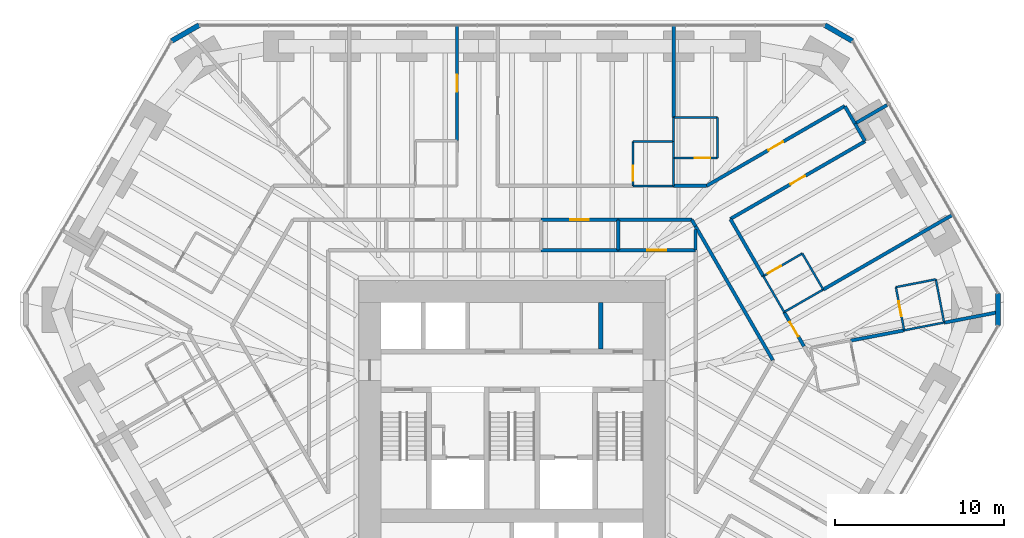
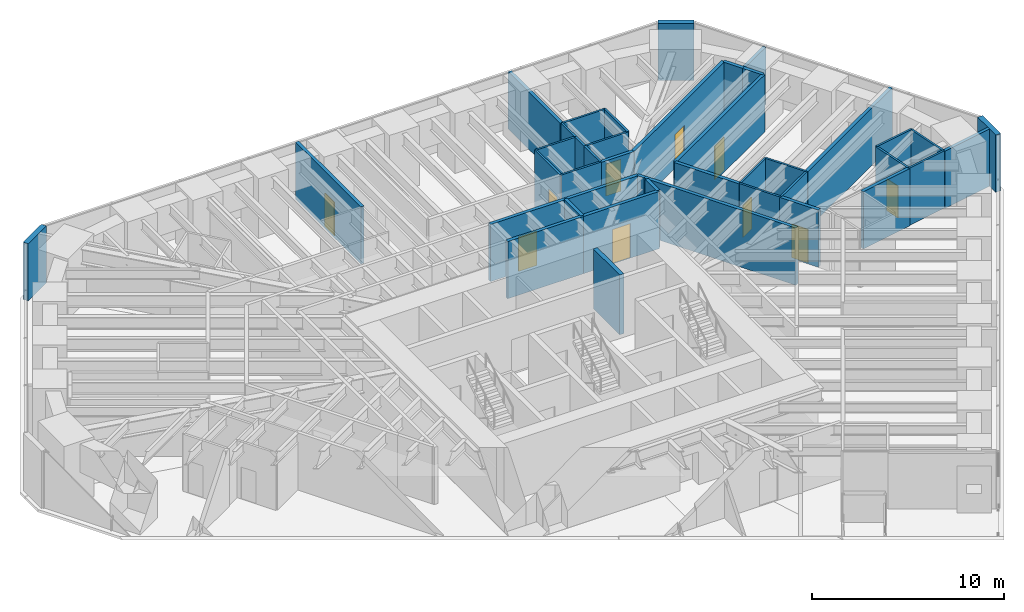
# One storey, part 15 of 17: 42 walls, 10 doors, 10 openings.
"""IFC4 building model written with IfcOpenShell, lengths in metres."""

from ifc_helpers import new_model, si_unit, direction, frame, frame_2d, origin, place, context, subcontext, project, spatial, rectangle, extrude, material, layer, layer_set, type_object, element, fill, save


model = new_model("IFC4")

# Units and contexts
model_context = context("Model", 3, precision=1e-05, world=origin(), true_north=direction((0.0, 1.0)))
body_context = subcontext(model_context, "Body", "Model", "MODEL_VIEW")
ifc_project = project(units=[si_unit("LENGTHUNIT", "METRE"), si_unit("AREAUNIT", "SQUARE_METRE"), si_unit("VOLUMEUNIT", "CUBIC_METRE"), si_unit("PLANEANGLEUNIT", "RADIAN"), si_unit("MASSUNIT", "GRAM", prefix="KILO")], contexts=[model_context])

# Site, building, storey
site_placement = place(None, origin())
site = spatial("IfcSite", under=ifc_project, at=site_placement, CompositionType="ELEMENT")
building_placement = place(site_placement, origin())
building = spatial("IfcBuilding", under=site, at=building_placement, Name="Sandreach Pilgrim Tower", CompositionType="ELEMENT")
storey_placement = place(building_placement, frame((0.0, 0.0, 138.60009765625)))
storey = spatial("IfcBuildingStorey", under=building, at=storey_placement, Name="L34", CompositionType="ELEMENT", Elevation=138.60009765625)

# Wall, opening, door
ifc_material_1 = material(Name="Moisture-resistant gypsum board on steel studs", Category="steel")
ifc_layer_1 = layer(ifc_material_1, 0.1201171875)
ifc_layer_set_1 = layer_set([ifc_layer_1], Name="Bathroom partition 120")
wall_type_1 = type_object("IfcWallType", Name="Bathroom partition 120", PredefinedType="PARTITIONING", material=ifc_layer_set_1)
wall_1_placement = place(storey_placement, frame((7.14990234375, 15.610107421875, 0.0), z_axis=(0.0, 0.0, 1.0), x_axis=(0.0, -1.0, 0.0)))
wall_1 = element("IfcWall", 1, at=wall_1_placement, inside=storey, type_object=wall_type_1, Name="Bathroom partition L34-100", PredefinedType="PARTITIONING", context=body_context, shape_type="SweptSolid", body=[
    extrude(rectangle(XDim=2.6201171875, YDim=0.1201171875, at=frame_2d((1.31005859375, 0.0))), origin(), (0.0, 0.0, 1.0), 3.639892578125),
])
opening_1_placement = place(wall_1_placement, frame((1.419921875, 0.0, 0.0)))
opening_1 = element("IfcOpeningElement", 2, at=opening_1_placement, cuts=wall_1, Name="Opening D09-03B", PredefinedType="OPENING", context=body_context, shape_type="SweptSolid", body=[
    extrude(rectangle(XDim=0.89990234375, YDim=2.030029296875, at=frame_2d((0.449951171875, 1.01513671875))), frame((0.0, 0.06005859375, 0.0), z_axis=(0.0, -1.0, 0.0), x_axis=(1.0, 0.0, 0.0)), (0.0, 0.0, 1.0), 0.1201171875),
])
ifc_material_2 = material(Name="Timber door, steel frame", Category="steel")
door_type_1 = type_object("IfcDoorType", Name="Bathroom door", OperationType="SINGLE_SWING_LEFT", PredefinedType="DOOR", material=ifc_material_2)
door_1_placement = place(opening_1_placement, origin())
door_1 = element("IfcDoor", 3, at=door_1_placement, inside=storey, type_object=door_type_1, Name="Door 3403B", OperationType="SINGLE_SWING_RIGHT", OverallHeight=2.030029296875, OverallWidth=0.89990234375, PredefinedType="DOOR", context=body_context, shape_type="SweptSolid", body=[
    extrude(rectangle(XDim=0.89990234375, YDim=2.030029296875, at=frame_2d((0.449951171875, 1.01513671875))), frame((0.0, 0.02490234375, 0.0), z_axis=(0.0, -1.0, 0.0), x_axis=(1.0, 0.0, 0.0)), (0.0, 0.0, 1.0), 0.050048828125),
])
fill(opening_1, door_1)

# Walls
wall_2_placement = place(storey_placement, frame((9.550048828125, 12.989990234375, 0.0), z_axis=(0.0, 0.0, 1.0), x_axis=(-1.0, 0.0, 0.0)))
element("IfcWall", 4, at=wall_2_placement, inside=storey, type_object=wall_type_1, Name="Bathroom partition L34-109", PredefinedType="PARTITIONING", context=body_context, shape_type="SweptSolid", body=[
    extrude(rectangle(XDim=2.400146484375, YDim=0.1201171875, at=frame_2d((1.2001953125, 0.0))), origin(), (0.0, 0.0, 1.0), 3.639892578125),
])
wall_3_placement = place(storey_placement, frame((9.550048828125, 14.639892578125, 0.0), z_axis=(0.0, 0.0, 1.0), x_axis=(0.0, -1.0, 0.0)))
element("IfcWall", 5, at=wall_3_placement, inside=storey, type_object=wall_type_1, Name="Bathroom partition L34-110", PredefinedType="PARTITIONING", context=body_context, shape_type="SweptSolid", body=[
    extrude(rectangle(XDim=1.64990234375, YDim=0.1201171875, at=frame_2d((0.824951171875, 0.0))), origin(), (0.0, 0.0, 1.0), 3.639892578125),
])

# Wall, opening, door
wall_4_placement = place(storey_placement, frame((9.550048828125, 14.639892578125, 0.0), z_axis=(0.0, 0.0, 1.0), x_axis=(1.0, 0.0, 0.0)))
wall_4 = element("IfcWall", 6, at=wall_4_placement, inside=storey, type_object=wall_type_1, Name="Bathroom partition L34-111", PredefinedType="PARTITIONING", context=body_context, shape_type="SweptSolid", body=[
    extrude(rectangle(XDim=2.599853515625, YDim=0.1201171875, at=frame_2d((1.2998046875, 0.0))), origin(), (0.0, 0.0, 1.0), 3.639892578125),
])
opening_2_placement = place(wall_4_placement, frame((1.25, 0.0, 0.0)))
opening_2 = element("IfcOpeningElement", 7, at=opening_2_placement, cuts=wall_4, Name="Opening D09-04B", PredefinedType="OPENING", context=body_context, shape_type="SweptSolid", body=[
    extrude(rectangle(XDim=0.89990234375, YDim=2.030029296875, at=frame_2d((0.449951171875, 1.01513671875))), frame((0.0, 0.06005859375, 0.0), z_axis=(0.0, -1.0, 0.0), x_axis=(1.0, 0.0, 0.0)), (0.0, 0.0, 1.0), 0.1201171875),
])
door_2_placement = place(opening_2_placement, origin())
door_2 = element("IfcDoor", 8, at=door_2_placement, inside=storey, type_object=door_type_1, Name="Door 3404B", OperationType="SINGLE_SWING_RIGHT", OverallHeight=2.030029296875, OverallWidth=0.89990234375, PredefinedType="DOOR", context=body_context, shape_type="SweptSolid", body=[
    extrude(rectangle(XDim=0.89990234375, YDim=2.030029296875, at=frame_2d((0.449951171875, 1.01513671875))), frame((0.0, 0.02490234375, 0.0), z_axis=(0.0, -1.0, 0.0), x_axis=(1.0, 0.0, 0.0)), (0.0, 0.0, 1.0), 0.050048828125),
])
fill(opening_2, door_2)

# Walls
wall_5_placement = place(storey_placement, frame((9.550048828125, 15.610107421875, 0.0), z_axis=(0.0, 0.0, 1.0), x_axis=(-1.0, 0.0, 0.0)))
element("IfcWall", 9, at=wall_5_placement, inside=storey, type_object=wall_type_1, Name="Bathroom partition L34-112", PredefinedType="PARTITIONING", context=body_context, shape_type="SweptSolid", body=[
    extrude(rectangle(XDim=2.400146484375, YDim=0.1201171875, at=frame_2d((1.2001953125, 0.0))), origin(), (0.0, 0.0, 1.0), 3.639892578125),
])
wall_6_placement = place(storey_placement, frame((9.550048828125, 15.610107421875, 0.0), z_axis=(0.0, 0.0, 1.0), x_axis=(0.0, -1.0, 0.0)))
element("IfcWall", 10, at=wall_6_placement, inside=storey, type_object=wall_type_1, Name="Bathroom partition L34-113", PredefinedType="PARTITIONING", context=body_context, shape_type="SweptSolid", body=[
    extrude(rectangle(XDim=0.97021484375, YDim=0.1201171875, at=frame_2d((0.485107421875, 0.0))), origin(), (0.0, 0.0, 1.0), 3.639892578125),
])
wall_7_placement = place(storey_placement, frame((9.550048828125, 17.0400390625, 0.0), z_axis=(0.0, 0.0, 1.0), x_axis=(0.0, -1.0, 0.0)))
element("IfcWall", 11, at=wall_7_placement, inside=storey, type_object=wall_type_1, Name="Bathroom partition L34-114", PredefinedType="PARTITIONING", context=body_context, shape_type="SweptSolid", body=[
    extrude(rectangle(XDim=1.429931640625, YDim=0.1201171875, at=frame_2d((0.71484375, 0.0))), origin(), (0.0, 0.0, 1.0), 3.639892578125),
])
wall_8_placement = place(storey_placement, frame((12.14990234375, 14.639892578125, 0.0), z_axis=(0.0, 0.0, 1.0), x_axis=(0.0, 1.0, 0.0)))
element("IfcWall", 12, at=wall_8_placement, inside=storey, type_object=wall_type_1, Name="Bathroom partition L34-123", PredefinedType="PARTITIONING", context=body_context, shape_type="SweptSolid", body=[
    extrude(rectangle(XDim=2.400146484375, YDim=0.1201171875, at=frame_2d((1.2001953125, 0.0))), origin(), (0.0, 0.0, 1.0), 3.639892578125),
])
wall_9_placement = place(storey_placement, frame((12.14990234375, 17.0400390625, 0.0), z_axis=(0.0, 0.0, 1.0), x_axis=(-1.0, 0.0, 0.0)))
element("IfcWall", 13, at=wall_9_placement, inside=storey, type_object=wall_type_1, Name="Bathroom partition L34-124", PredefinedType="PARTITIONING", context=body_context, shape_type="SweptSolid", body=[
    extrude(rectangle(XDim=2.599853515625, YDim=0.1201171875, at=frame_2d((1.2998046875, 0.0))), origin(), (0.0, 0.0, 1.0), 3.639892578125),
])
wall_10_placement = place(storey_placement, frame((14.85009765625, 7.66015625, 0.0), z_axis=(0.0, 0.0, 1.0), x_axis=(0.501236510024, -0.865310326426, 0.0)))
element("IfcWall", 14, at=wall_10_placement, inside=storey, type_object=wall_type_1, Name="Bathroom partition L34-129", PredefinedType="PARTITIONING", context=body_context, shape_type="SweptSolid", body=[
    extrude(rectangle(XDim=2.450927734375, YDim=0.1201171875, at=frame_2d((1.2255859375, 0.0))), origin(), (0.0, 0.0, 1.0), 3.639892578125),
])
wall_11_placement = place(storey_placement, frame((16.080078125, 5.5400390625, 0.0), z_axis=(0.0, 0.0, 1.0), x_axis=(0.86663205897, 0.498947767172, 0.0)))
element("IfcWall", 15, at=wall_11_placement, inside=storey, type_object=wall_type_1, Name="Bathroom partition L34-132", PredefinedType="PARTITIONING", context=body_context, shape_type="SweptSolid", body=[
    extrude(rectangle(XDim=2.665283203125, YDim=0.1201171875, at=frame_2d((1.33251953125, 0.0))), origin(), (0.0, 0.0, 1.0), 3.639892578125),
])

# Wall, opening, door
wall_12_placement = place(storey_placement, frame((17.14990234375, 9.0, 0.0), z_axis=(0.0, 0.0, 1.0), x_axis=(-0.864018325232, -0.503460359575, 0.0)))
wall_12 = element("IfcWall", 16, at=wall_12_placement, inside=storey, type_object=wall_type_1, Name="Bathroom partition L34-133", PredefinedType="PARTITIONING", context=body_context, shape_type="SweptSolid", body=[
    extrude(rectangle(XDim=2.661865234375, YDim=0.1201171875, at=frame_2d((1.3310546875, 0.0))), origin(), (0.0, 0.0, 1.0), 3.639892578125),
])
opening_3_placement = place(wall_12_placement, frame((1.4619140625, 0.0, 0.0)))
opening_3 = element("IfcOpeningElement", 17, at=opening_3_placement, cuts=wall_12, Name="Opening D09-05B", PredefinedType="OPENING", context=body_context, shape_type="SweptSolid", body=[
    extrude(rectangle(XDim=0.89990234375, YDim=2.030029296875, at=frame_2d((0.449951171875, 1.01513671875))), frame((0.0, 0.06005859375, 0.0), z_axis=(0.0, -1.0, 0.0), x_axis=(1.0, 0.0, 0.0)), (0.0, 0.0, 1.0), 0.1201171875),
])
door_3_placement = place(opening_3_placement, origin())
door_3 = element("IfcDoor", 18, at=door_3_placement, inside=storey, type_object=door_type_1, Name="Door 3405B", OperationType="SINGLE_SWING_RIGHT", OverallHeight=2.030029296875, OverallWidth=0.89990234375, PredefinedType="DOOR", context=body_context, shape_type="SweptSolid", body=[
    extrude(rectangle(XDim=0.89990234375, YDim=2.030029296875, at=frame_2d((0.449951171875, 1.01513671875))), frame((0.0, 0.02490234375, 0.0), z_axis=(0.0, -1.0, 0.0), x_axis=(1.0, 0.0, 0.0)), (0.0, 0.0, 1.0), 0.050048828125),
])
fill(opening_3, door_3)

# Wall
wall_13_placement = place(storey_placement, frame((18.389892578125, 6.8701171875, 0.0), z_axis=(0.0, 0.0, 1.0), x_axis=(-0.503131731744, 0.864209731785, 0.0)))
element("IfcWall", 19, at=wall_13_placement, inside=storey, type_object=wall_type_1, Name="Bathroom partition L34-141", PredefinedType="PARTITIONING", context=body_context, shape_type="SweptSolid", body=[
    extrude(rectangle(XDim=2.464599609375, YDim=0.1201171875, at=frame_2d((1.232421875, 0.0))), origin(), (0.0, 0.0, 1.0), 3.639892578125),
])

# Wall, opening, door
wall_14_placement = place(storey_placement, frame((22.679931640625, 7.010009765625, 0.0), z_axis=(0.0, 0.0, 1.0), x_axis=(0.188697442844, -0.982035271802, 0.0)))
wall_14 = element("IfcWall", 20, at=wall_14_placement, inside=storey, type_object=wall_type_1, Name="Bathroom partition L34-150", PredefinedType="PARTITIONING", context=body_context, shape_type="SweptSolid", body=[
    extrude(rectangle(XDim=2.5966796875, YDim=0.1201171875, at=frame_2d((1.29833984375, 0.0))), origin(), (0.0, 0.0, 1.0), 3.639892578125),
])
opening_4_placement = place(wall_14_placement, frame((0.85009765625, 0.0, 0.0)))
opening_4 = element("IfcOpeningElement", 21, at=opening_4_placement, cuts=wall_14, Name="Opening D09-06B", PredefinedType="OPENING", context=body_context, shape_type="SweptSolid", body=[
    extrude(rectangle(XDim=0.89990234375, YDim=2.030029296875, at=frame_2d((0.449951171875, 1.01513671875))), frame((0.0, 0.06005859375, 0.0), z_axis=(0.0, -1.0, 0.0), x_axis=(1.0, 0.0, 0.0)), (0.0, 0.0, 1.0), 0.1201171875),
])
door_4_placement = place(opening_4_placement, origin())
door_4 = element("IfcDoor", 22, at=door_4_placement, inside=storey, type_object=door_type_1, Name="Door 3406B", OperationType="SINGLE_SWING_LEFT", OverallHeight=2.030029296875, OverallWidth=0.89990234375, PredefinedType="DOOR", context=body_context, shape_type="SweptSolid", body=[
    extrude(rectangle(XDim=0.89990234375, YDim=2.030029296875, at=frame_2d((0.449951171875, 1.01513671875))), frame((0.0, 0.02490234375, 0.0), z_axis=(0.0, -1.0, 0.0), x_axis=(1.0, 0.0, 0.0)), (0.0, 0.0, 1.0), 0.050048828125),
])
fill(opening_4, door_4)

# Walls
for number, where, z_axis, x_axis, name in (
    (23, (23.169921875, 4.4599609375, 0.0), (0.0, 0.0, 1.0), (0.981533392326, 0.191290877329, 0.0), "Bathroom partition L34-151"),
    (24, (25.0400390625, 7.469970703125, 0.0), (0.0, 0.0, 1.0), (-0.981533392326, -0.191290877329, 0.0), "Bathroom partition L34-152"),
):
    element("IfcWall", number, at=place(storey_placement, frame(where, z_axis=z_axis, x_axis=x_axis)), inside=storey, type_object=wall_type_1, Name=name, PredefinedType="PARTITIONING", context=body_context, shape_type="SweptSolid", body=[
        extrude(rectangle(XDim=2.404541015625, YDim=0.1201171875, at=frame_2d((1.2021484375, 0.0))), origin(), (0.0, 0.0, 1.0), 3.639892578125),
    ])
wall_15_placement = place(storey_placement, frame((25.530029296875, 4.919921875, 0.0), z_axis=(0.0, 0.0, 1.0), x_axis=(-0.188697442844, 0.982035271802, 0.0)))
element("IfcWall", 25, at=wall_15_placement, inside=storey, type_object=wall_type_1, Name="Bathroom partition L34-153", PredefinedType="PARTITIONING", context=body_context, shape_type="SweptSolid", body=[
    extrude(rectangle(XDim=2.5966796875, YDim=0.1201171875, at=frame_2d((1.29833984375, 0.0))), origin(), (0.0, 0.0, 1.0), 3.639892578125),
])

# Wall, opening, door
ifc_material_3 = material(Name="Gypsum board on steel studs, two layers each side", Category="steel")
ifc_layer_2 = layer(ifc_material_3, 0.199951171875)
ifc_layer_set_2 = layer_set([ifc_layer_2], Name="Corridor wall 200")
wall_type_2 = type_object("IfcWallType", Name="Corridor wall 200", PredefinedType="PARTITIONING", material=ifc_layer_set_2)
wall_16_placement = place(storey_placement, frame((-3.25, 22.4599609375, 0.0), z_axis=(0.0, 0.0, 1.0), x_axis=(0.0, -1.0, 0.0)))
wall_16 = element("IfcWall", 26, at=wall_16_placement, inside=storey, type_object=wall_type_2, Name="Corridor wall L34-068", PredefinedType="PARTITIONING", context=body_context, shape_type="SweptSolid", body=[
    extrude(rectangle(XDim=6.800048828125, YDim=0.199951171875, at=frame_2d((3.39990234375, 0.0))), origin(), (0.0, 0.0, 1.0), 3.639892578125),
])
opening_5_placement = place(wall_16_placement, frame((2.89990234375, 0.0, 0.0)))
opening_5 = element("IfcOpeningElement", 27, at=opening_5_placement, cuts=wall_16, Name="Opening D10-02", PredefinedType="OPENING", context=body_context, shape_type="SweptSolid", body=[
    extrude(rectangle(XDim=1.0, YDim=2.1298828125, at=frame_2d((0.5, 1.06494140625))), frame((0.0, 0.10009765625, 0.0), z_axis=(0.0, -1.0, 0.0), x_axis=(1.0, 0.0, 0.0)), (0.0, 0.0, 1.0), 0.199951171875),
])
ifc_material_4 = material(Name="Steel door and frame", Category="steel")
door_type_2 = type_object("IfcDoorType", Name="Guest room entry door", OperationType="SINGLE_SWING_LEFT", PredefinedType="DOOR", material=ifc_material_4)
door_5_placement = place(opening_5_placement, origin())
door_5 = element("IfcDoor", 28, at=door_5_placement, inside=storey, type_object=door_type_2, Name="Door 3402", OperationType="SINGLE_SWING_LEFT", OverallHeight=2.1298828125, OverallWidth=1.0, PredefinedType="DOOR", context=body_context, shape_type="SweptSolid", body=[
    extrude(rectangle(XDim=1.0, YDim=2.1298828125, at=frame_2d((0.5, 1.06494140625))), frame((0.0, 0.02490234375, 0.0), z_axis=(0.0, -1.0, 0.0), x_axis=(1.0, 0.0, 0.0)), (0.0, 0.0, 1.0), 0.050048828125),
])
fill(opening_5, door_5)

wall_17_placement = place(storey_placement, frame((1.7099609375, 10.989990234375, 0.0), z_axis=(0.0, 0.0, 1.0), x_axis=(1.0, 0.0, 0.0)))
wall_17 = element("IfcWall", 29, at=wall_17_placement, inside=storey, type_object=wall_type_2, Name="Corridor wall L34-082", PredefinedType="PARTITIONING", context=body_context, shape_type="SweptSolid", body=[
    extrude(rectangle(XDim=4.56005859375, YDim=0.199951171875, at=frame_2d((2.280029296875, 0.0))), origin(), (0.0, 0.0, 1.0), 3.639892578125),
])
opening_6_placement = place(wall_17_placement, frame((1.72998046875, 0.0, 0.0)))
opening_6 = element("IfcOpeningElement", 30, at=opening_6_placement, cuts=wall_17, Name="Opening D11H-M05", PredefinedType="OPENING", context=body_context, shape_type="SweptSolid", body=[
    extrude(rectangle(XDim=1.10009765625, YDim=2.199951171875, at=frame_2d((0.550048828125, 1.10009765625))), frame((0.0, 0.10009765625, 0.0), z_axis=(0.0, -1.0, 0.0), x_axis=(1.0, 0.0, 0.0)), (0.0, 0.0, 1.0), 0.199951171875),
])
ifc_material_5 = material(Name="Steel door and frame", Category="steel")
door_type_3 = type_object("IfcDoorType", Name="Back of house door", OperationType="SINGLE_SWING_LEFT", PredefinedType="DOOR", material=ifc_material_5)
door_6_placement = place(opening_6_placement, origin())
door_6 = element("IfcDoor", 31, at=door_6_placement, inside=storey, type_object=door_type_3, Name="Door 34M05", OperationType="SINGLE_SWING_LEFT", OverallHeight=2.199951171875, OverallWidth=1.10009765625, PredefinedType="DOOR", context=body_context, shape_type="SweptSolid", body=[
    extrude(rectangle(XDim=1.10009765625, YDim=2.199951171875, at=frame_2d((0.550048828125, 1.10009765625))), frame((0.0, 0.02490234375, 0.0), z_axis=(0.0, -1.0, 0.0), x_axis=(1.0, 0.0, 0.0)), (0.0, 0.0, 1.0), 0.050048828125),
])
fill(opening_6, door_6)

# Walls
wall_18_placement = place(storey_placement, frame((6.27001953125, 9.199951171875, 0.0), z_axis=(0.0, 0.0, 1.0), x_axis=(-1.0, 0.0, 0.0)))
element("IfcWall", 32, at=wall_18_placement, inside=storey, type_object=wall_type_2, Name="Corridor wall L34-095", PredefinedType="PARTITIONING", context=body_context, shape_type="SweptSolid", body=[
    extrude(rectangle(XDim=4.56005859375, YDim=0.199951171875, at=frame_2d((2.280029296875, 0.0))), origin(), (0.0, 0.0, 1.0), 3.639892578125),
])
wall_19_placement = place(storey_placement, frame((6.27001953125, 10.989990234375, 0.0), z_axis=(0.0, 0.0, 1.0), x_axis=(1.0, 0.0, 0.0)))
element("IfcWall", 33, at=wall_19_placement, inside=storey, type_object=wall_type_2, Name="Corridor wall L34-097", PredefinedType="PARTITIONING", context=body_context, shape_type="SweptSolid", body=[
    extrude(rectangle(XDim=4.35009765625, YDim=0.199951171875, at=frame_2d((2.175048828125, 0.0))), origin(), (0.0, 0.0, 1.0), 3.639892578125),
])
wall_20_placement = place(storey_placement, frame((10.6201171875, 10.989990234375, 0.0), z_axis=(0.0, 0.0, 1.0), x_axis=(0.5011020393, -0.865388205495, 0.0)))
element("IfcWall", 34, at=wall_20_placement, inside=storey, type_object=wall_type_2, Name="Corridor wall L34-116", PredefinedType="PARTITIONING", context=body_context, shape_type="SweptSolid", body=[
    extrude(rectangle(XDim=0.43896484375, YDim=0.199951171875, at=frame_2d((0.219482421875, 0.0))), origin(), (0.0, 0.0, 1.0), 3.639892578125),
])

# Wall, opening, door
wall_21_placement = place(storey_placement, frame((10.840087890625, 9.199951171875, 0.0), z_axis=(0.0, 0.0, 1.0), x_axis=(-1.0, 0.0, 0.0)))
wall_21 = element("IfcWall", 35, at=wall_21_placement, inside=storey, type_object=wall_type_2, Name="Corridor wall L34-118", PredefinedType="PARTITIONING", context=body_context, shape_type="SweptSolid", body=[
    extrude(rectangle(XDim=4.570068359375, YDim=0.199951171875, at=frame_2d((2.28515625, 0.0))), origin(), (0.0, 0.0, 1.0), 3.639892578125),
])
opening_7_placement = place(wall_21_placement, frame((1.735107421875, 0.0, 0.0)))
opening_7 = element("IfcOpeningElement", 36, at=opening_7_placement, cuts=wall_21, Name="Opening D11H-M06", PredefinedType="OPENING", context=body_context, shape_type="SweptSolid", body=[
    extrude(rectangle(XDim=1.10009765625, YDim=2.199951171875, at=frame_2d((0.550048828125, 1.10009765625))), frame((0.0, 0.10009765625, 0.0), z_axis=(0.0, -1.0, 0.0), x_axis=(1.0, 0.0, 0.0)), (0.0, 0.0, 1.0), 0.199951171875),
])
door_7_placement = place(opening_7_placement, origin())
door_7 = element("IfcDoor", 37, at=door_7_placement, inside=storey, type_object=door_type_3, Name="Door 34M06", OperationType="SINGLE_SWING_LEFT", OverallHeight=2.199951171875, OverallWidth=1.10009765625, PredefinedType="DOOR", context=body_context, shape_type="SweptSolid", body=[
    extrude(rectangle(XDim=1.10009765625, YDim=2.199951171875, at=frame_2d((0.550048828125, 1.10009765625))), frame((0.0, 0.02490234375, 0.0), z_axis=(0.0, -1.0, 0.0), x_axis=(1.0, 0.0, 0.0)), (0.0, 0.0, 1.0), 0.050048828125),
])
fill(opening_7, door_7)

# Walls
wall_22_placement = place(storey_placement, frame((10.840087890625, 10.610107421875, 0.0), z_axis=(0.0, 0.0, 1.0), x_axis=(0.500237524763, -0.865888225361, 0.0)))
element("IfcWall", 38, at=wall_22_placement, inside=storey, type_object=wall_type_2, Name="Corridor wall L34-120", PredefinedType="PARTITIONING", context=body_context, shape_type="SweptSolid", body=[
    extrude(rectangle(XDim=9.13525390625, YDim=0.199951171875, at=frame_2d((4.567626953125, 0.0))), origin(), (0.0, 0.0, 1.0), 3.639892578125),
])
wall_23_placement = place(storey_placement, frame((11.489990234375, 12.989990234375, 0.0), z_axis=(0.0, 0.0, 1.0), x_axis=(-1.0, 0.0, 0.0)))
element("IfcWall", 39, at=wall_23_placement, inside=storey, type_object=wall_type_2, Name="Corridor wall L34-122", PredefinedType="PARTITIONING", context=body_context, shape_type="SweptSolid", body=[
    extrude(rectangle(XDim=1.93994140625, YDim=0.199951171875, at=frame_2d((0.969970703125, 0.0))), origin(), (0.0, 0.0, 1.0), 3.639892578125),
])

# Wall, opening, door
wall_24_placement = place(storey_placement, frame((12.89990234375, 11.0400390625, 0.0), z_axis=(0.0, 0.0, 1.0), x_axis=(0.866295705695, 0.499531530832, 0.0)))
wall_24 = element("IfcWall", 40, at=wall_24_placement, inside=storey, type_object=wall_type_2, Name="Corridor wall L34-125", PredefinedType="PARTITIONING", context=body_context, shape_type="SweptSolid", body=[
    extrude(rectangle(XDim=9.188720703125, YDim=0.199951171875, at=frame_2d((4.59423828125, 0.0))), origin(), (0.0, 0.0, 1.0), 3.639892578125),
])
opening_8_placement = place(wall_24_placement, frame((4.09423828125, 0.0, 0.0)))
opening_8 = element("IfcOpeningElement", 41, at=opening_8_placement, cuts=wall_24, Name="Opening D10-05", PredefinedType="OPENING", context=body_context, shape_type="SweptSolid", body=[
    extrude(rectangle(XDim=1.0, YDim=2.1298828125, at=frame_2d((0.5, 1.06494140625))), frame((0.0, 0.10009765625, 0.0), z_axis=(0.0, -1.0, 0.0), x_axis=(1.0, 0.0, 0.0)), (0.0, 0.0, 1.0), 0.199951171875),
])
door_8_placement = place(opening_8_placement, origin())
door_8 = element("IfcDoor", 42, at=door_8_placement, inside=storey, type_object=door_type_2, Name="Door 3405", OperationType="SINGLE_SWING_LEFT", OverallHeight=2.1298828125, OverallWidth=1.0, PredefinedType="DOOR", context=body_context, shape_type="SweptSolid", body=[
    extrude(rectangle(XDim=1.0, YDim=2.1298828125, at=frame_2d((0.5, 1.06494140625))), frame((0.0, 0.02490234375, 0.0), z_axis=(0.0, -1.0, 0.0), x_axis=(1.0, 0.0, 0.0)), (0.0, 0.0, 1.0), 0.050048828125),
])
fill(opening_8, door_8)

# Wall
wall_25_placement = place(storey_placement, frame((12.907470703125, 11.027099609375, 0.0), z_axis=(0.0, 0.0, 1.0), x_axis=(0.499726078095, -0.86618349492, 0.0)))
element("IfcWall", 43, at=wall_25_placement, inside=storey, type_object=wall_type_2, Name="Corridor wall L34-127", PredefinedType="PARTITIONING", context=body_context, shape_type="SweptSolid", body=[
    extrude(rectangle(XDim=3.887451171875, YDim=0.199951171875, at=frame_2d((1.94384765625, 0.0))), origin(), (0.0, 0.0, 1.0), 3.639892578125),
])

# Wall, opening, door
wall_26_placement = place(storey_placement, frame((16.07861328125, 5.539306640625, 0.0), z_axis=(0.0, 0.0, 1.0), x_axis=(0.501782258451, -0.864993968247, 0.0)))
wall_26 = element("IfcWall", 44, at=wall_26_placement, inside=storey, type_object=wall_type_2, Name="Corridor wall L34-131", PredefinedType="PARTITIONING", context=body_context, shape_type="SweptSolid", body=[
    extrude(rectangle(XDim=2.33447265625, YDim=0.199951171875, at=frame_2d((1.167236328125, 0.0))), origin(), (0.0, 0.0, 1.0), 3.639892578125),
])
opening_9_placement = place(wall_26_placement, frame((0.667236328125, 0.0, 0.0)))
opening_9 = element("IfcOpeningElement", 45, at=opening_9_placement, cuts=wall_26, Name="Opening D10-06", PredefinedType="OPENING", context=body_context, shape_type="SweptSolid", body=[
    extrude(rectangle(XDim=1.0, YDim=2.1298828125, at=frame_2d((0.5, 1.06494140625))), frame((0.0, 0.10009765625, 0.0), z_axis=(0.0, -1.0, 0.0), x_axis=(1.0, 0.0, 0.0)), (0.0, 0.0, 1.0), 0.199951171875),
])
door_9_placement = place(opening_9_placement, origin())
door_9 = element("IfcDoor", 46, at=door_9_placement, inside=storey, type_object=door_type_2, Name="Door 3406", OperationType="SINGLE_SWING_LEFT", OverallHeight=2.1298828125, OverallWidth=1.0, PredefinedType="DOOR", context=body_context, shape_type="SweptSolid", body=[
    extrude(rectangle(XDim=1.0, YDim=2.1298828125, at=frame_2d((0.5, 1.06494140625))), frame((0.0, 0.02490234375, 0.0), z_axis=(0.0, -1.0, 0.0), x_axis=(1.0, 0.0, 0.0)), (0.0, 0.0, 1.0), 0.050048828125),
])
fill(opening_9, door_9)

wall_27_placement = place(storey_placement, frame((19.659912109375, 17.7099609375, 0.0), z_axis=(0.0, 0.0, 1.0), x_axis=(-0.865884749539, -0.500243541204, 0.0)))
wall_27 = element("IfcWall", 47, at=wall_27_placement, inside=storey, type_object=wall_type_2, Name="Corridor wall L34-143", PredefinedType="PARTITIONING", context=body_context, shape_type="SweptSolid", body=[
    extrude(rectangle(XDim=9.435302734375, YDim=0.199951171875, at=frame_2d((4.7177734375, 0.0))), origin(), (0.0, 0.0, 1.0), 3.639892578125),
])
opening_10_placement = place(wall_27_placement, frame((4.2177734375, 0.0, 0.0)))
opening_10 = element("IfcOpeningElement", 48, at=opening_10_placement, cuts=wall_27, Name="Opening D10-04", PredefinedType="OPENING", context=body_context, shape_type="SweptSolid", body=[
    extrude(rectangle(XDim=1.0, YDim=2.1298828125, at=frame_2d((0.5, 1.06494140625))), frame((0.0, 0.10009765625, 0.0), z_axis=(0.0, -1.0, 0.0), x_axis=(1.0, 0.0, 0.0)), (0.0, 0.0, 1.0), 0.199951171875),
])
door_10_placement = place(opening_10_placement, origin())
door_10 = element("IfcDoor", 49, at=door_10_placement, inside=storey, type_object=door_type_2, Name="Door 3404", OperationType="SINGLE_SWING_LEFT", OverallHeight=2.1298828125, OverallWidth=1.0, PredefinedType="DOOR", context=body_context, shape_type="SweptSolid", body=[
    extrude(rectangle(XDim=1.0, YDim=2.1298828125, at=frame_2d((0.5, 1.06494140625))), frame((0.0, 0.02490234375, 0.0), z_axis=(0.0, -1.0, 0.0), x_axis=(1.0, 0.0, 0.0)), (0.0, 0.0, 1.0), 0.050048828125),
])
fill(opening_10, door_10)

# Walls
wall_28_placement = place(storey_placement, frame((19.66748046875, 17.697021484375, 0.0), z_axis=(0.0, 0.0, 1.0), x_axis=(0.499704629046, -0.866195869137, 0.0)))
element("IfcWall", 50, at=wall_28_placement, inside=storey, type_object=wall_type_2, Name="Corridor wall L34-144", PredefinedType="PARTITIONING", context=body_context, shape_type="SweptSolid", body=[
    extrude(rectangle(XDim=1.185791015625, YDim=0.199951171875, at=frame_2d((0.5927734375, 0.0))), origin(), (0.0, 0.0, 1.0), 3.639892578125),
])
wall_29_placement = place(storey_placement, frame((20.260009765625, 16.669921875, 0.0), z_axis=(0.0, 0.0, 1.0), x_axis=(0.499734288277, -0.866178758179, 0.0)))
element("IfcWall", 51, at=wall_29_placement, inside=storey, type_object=wall_type_2, Name="Corridor wall L34-146", PredefinedType="PARTITIONING", context=body_context, shape_type="SweptSolid", body=[
    extrude(rectangle(XDim=1.190673828125, YDim=0.199951171875, at=frame_2d((0.59521484375, 0.0))), origin(), (0.0, 0.0, 1.0), 3.639892578125),
])
ifc_material_6 = material(Name="Double steel stud acoustic wall, gypsum board", Category="steel")
ifc_layer_3 = layer(ifc_material_6, 0.199951171875)
ifc_layer_set_3 = layer_set([ifc_layer_3], Name="Party wall 200")
wall_type_3 = type_object("IfcWallType", Name="Party wall 200", PredefinedType="PARTITIONING", material=ifc_layer_set_3)
wall_30_placement = place(storey_placement, frame((6.27001953125, 10.97998046875, 0.0), z_axis=(0.0, 0.0, 1.0), x_axis=(0.0, -1.0, 0.0)))
element("IfcWall", 52, at=wall_30_placement, inside=storey, type_object=wall_type_3, Name="Party wall L34-096", PredefinedType="PARTITIONING", context=body_context, shape_type="SweptSolid", body=[
    extrude(rectangle(XDim=1.77001953125, YDim=0.199951171875, at=frame_2d((0.885009765625, 0.0))), origin(), (0.0, 0.0, 1.0), 3.639892578125),
])
wall_31_placement = place(storey_placement, frame((9.550048828125, 22.4599609375, 0.0), z_axis=(0.0, 0.0, 1.0), x_axis=(0.0, -1.0, 0.0)))
element("IfcWall", 53, at=wall_31_placement, inside=storey, type_object=wall_type_3, Name="Party wall L34-115", PredefinedType="PARTITIONING", context=body_context, shape_type="SweptSolid", body=[
    extrude(rectangle(XDim=5.419921875, YDim=0.199951171875, at=frame_2d((2.7099609375, 0.0))), origin(), (0.0, 0.0, 1.0), 3.639892578125),
])
wall_32_placement = place(storey_placement, frame((10.840087890625, 10.4150390625, 0.0), z_axis=(0.0, 0.0, 1.0), x_axis=(0.0, -1.0, 0.0)))
element("IfcWall", 54, at=wall_32_placement, inside=storey, type_object=wall_type_3, Name="Party wall L34-119", PredefinedType="PARTITIONING", context=body_context, shape_type="SweptSolid", body=[
    extrude(rectangle(XDim=1.205078125, YDim=0.199951171875, at=frame_2d((0.6025390625, 0.0))), origin(), (0.0, 0.0, 1.0), 3.639892578125),
])
wall_33_placement = place(storey_placement, frame((18.389892578125, 6.8701171875, 0.0), z_axis=(0.0, 0.0, 1.0), x_axis=(0.865875215531, 0.500260043506, 0.0)))
element("IfcWall", 55, at=wall_33_placement, inside=storey, type_object=wall_type_3, Name="Party wall L34-142", PredefinedType="PARTITIONING", context=body_context, shape_type="SweptSolid", body=[
    extrude(rectangle(XDim=8.804931640625, YDim=0.199951171875, at=frame_2d((4.40234375, 0.0))), origin(), (0.0, 0.0, 1.0), 3.639892578125),
])
wall_34_placement = place(storey_placement, frame((20.0, 3.85009765625, 0.0), z_axis=(0.0, 0.0, 1.0), x_axis=(0.981991339242, 0.188925936955, 0.0)))
element("IfcWall", 56, at=wall_34_placement, inside=storey, type_object=wall_type_3, Name="Party wall L34-145", PredefinedType="PARTITIONING", context=body_context, shape_type="SweptSolid", body=[
    extrude(rectangle(XDim=3.22802734375, YDim=0.199951171875, at=frame_2d((1.614013671875, 0.0))), origin(), (0.0, 0.0, 1.0), 3.639892578125),
])
wall_35_placement = place(storey_placement, frame((22.15625, 17.769775390625, 0.0), z_axis=(0.0, 0.0, 1.0), x_axis=(-0.865037029405, -0.501708020425, 0.0)))
element("IfcWall", 57, at=wall_35_placement, inside=storey, type_object=wall_type_3, Name="Party wall L34-149", PredefinedType="PARTITIONING", context=body_context, shape_type="SweptSolid", body=[
    extrude(rectangle(XDim=2.17724609375, YDim=0.199951171875, at=frame_2d((1.088623046875, 0.0))), origin(), (0.0, 0.0, 1.0), 3.639892578125),
])
wall_36_placement = place(storey_placement, frame((28.740478515625, 5.5341796875, 0.0), z_axis=(0.0, 0.0, 1.0), x_axis=(-0.98161461266, -0.190873655101, 0.0)))
element("IfcWall", 58, at=wall_36_placement, inside=storey, type_object=wall_type_3, Name="Party wall L34-154", PredefinedType="PARTITIONING", context=body_context, shape_type="SweptSolid", body=[
    extrude(rectangle(XDim=3.2705078125, YDim=0.199951171875, at=frame_2d((1.63525390625, 0.0))), origin(), (0.0, 0.0, 1.0), 3.639892578125),
])
ifc_material_7 = material(Name="Gypsum shaft wall on steel studs, two layers of shaft liner board", Category="steel")
ifc_layer_4 = layer(ifc_material_7, 0.25)
ifc_layer_set_4 = layer_set([ifc_layer_4], Name="Shaft partition 250")
wall_type_4 = type_object("IfcWallType", Name="Shaft partition 250", PredefinedType="PARTITIONING", material=ifc_layer_set_4)
wall_37_placement = place(storey_placement, frame((5.25, 3.35009765625, 0.0), z_axis=(0.0, 0.0, 1.0), x_axis=(0.0, 1.0, 0.0)))
element("IfcWall", 59, at=wall_37_placement, inside=storey, type_object=wall_type_4, Name="Shaft partition NS4 L34", PredefinedType="PARTITIONING", context=body_context, shape_type="SweptSolid", body=[
    extrude(rectangle(XDim=2.75, YDim=0.25, at=frame_2d((1.375, 0.0))), origin(), (0.0, 0.0, 1.0), 3.7998046875),
])
ifc_material_8 = material(Name="Terracotta rainscreen on concrete", Category="masonry")
ifc_layer_5 = layer(ifc_material_8, 0.300048828125)
ifc_layer_set_5 = layer_set([ifc_layer_5], Name="Terracotta chamfer pier")
wall_type_5 = type_object("IfcWallType", Name="Terracotta chamfer pier", PredefinedType="SOLIDWALL", material=ifc_layer_set_5)
wall_38_placement = place(storey_placement, frame((18.4814453125, 22.493896484375, 0.0), z_axis=(0.0, 0.0, 1.0), x_axis=(0.865988793993, -0.500063404658, 0.0)))
element("IfcWall", 60, at=wall_38_placement, inside=storey, type_object=wall_type_5, Name="Chamfer pier L34 N", PredefinedType="SOLIDWALL", context=body_context, shape_type="SweptSolid", body=[
    extrude(rectangle(XDim=1.880126953125, YDim=0.300048828125, at=frame_2d((0.93994140625, 0.0))), origin(), (0.0, 0.0, 1.0), 3.639892578125),
])
wall_39_placement = place(storey_placement, frame((28.720947265625, 6.638427734375, 0.0), z_axis=(0.0, 0.0, 1.0), x_axis=(0.0, -1.0, 0.0)))
element("IfcWall", 61, at=wall_39_placement, inside=storey, type_object=wall_type_5, Name="Chamfer pier L34 NE", PredefinedType="SOLIDWALL", context=body_context, shape_type="SweptSolid", body=[
    extrude(rectangle(XDim=1.8798828125, YDim=0.300048828125, at=frame_2d((0.93994140625, 0.0))), origin(), (0.0, 0.0, 1.0), 3.639892578125),
])
wall_40_placement = place(storey_placement, frame((-20.109619140625, 21.5537109375, 0.0), z_axis=(0.0, 0.0, 1.0), x_axis=(0.865988793993, 0.500063404658, 0.0)))
element("IfcWall", 62, at=wall_40_placement, inside=storey, type_object=wall_type_5, Name="Chamfer pier L34 NW", PredefinedType="SOLIDWALL", context=body_context, shape_type="SweptSolid", body=[
    extrude(rectangle(XDim=1.880126953125, YDim=0.300048828125, at=frame_2d((0.93994140625, 0.0))), origin(), (0.0, 0.0, 1.0), 3.639892578125),
])

save(model, "model.ifc")
